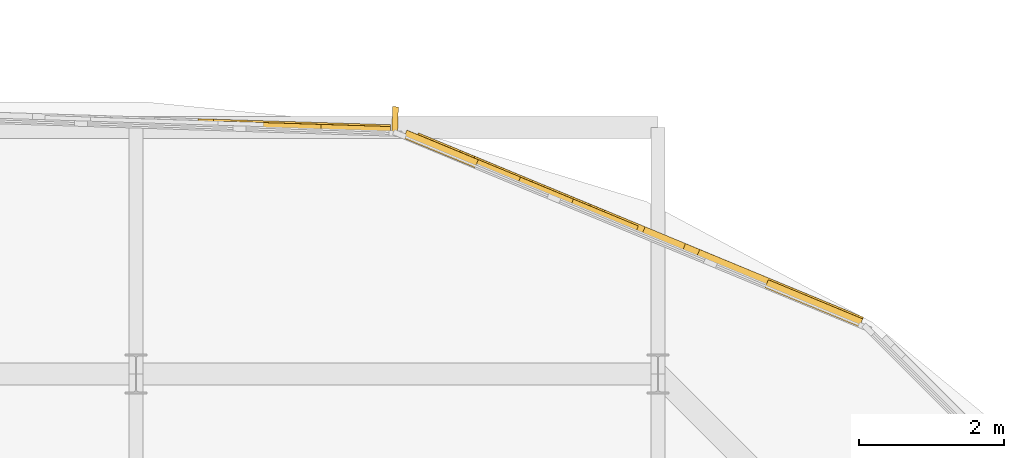
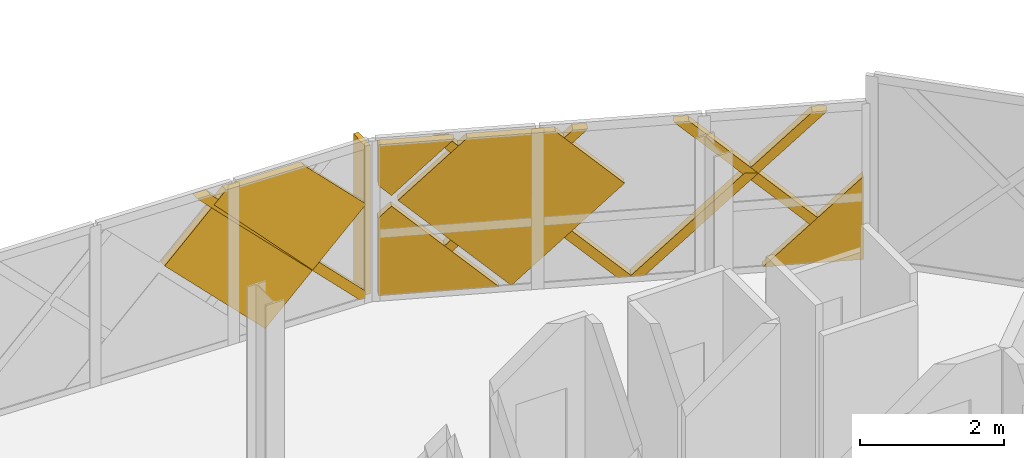
# One storey, part 50 of 50: 10 coverings, 1 shading device.
"""IFC4 building model written with IfcOpenShell, lengths in metres."""

from ifc_helpers import new_model, si_unit, direction, frame, origin, origin_2d, place, context, subcontext, project, spatial, polyline, rectangle, outline, extrude, material, layer, layer_set, type_object, element, save


model = new_model("IFC4")

# Units and contexts
model_context = context("Model", 3, precision=1e-05, world=origin(), true_north=direction((0.0, 1.0)))
body_context = subcontext(model_context, "Body", "Model", "MODEL_VIEW")
ifc_project = project(units=[si_unit("LENGTHUNIT", "METRE"), si_unit("AREAUNIT", "SQUARE_METRE"), si_unit("VOLUMEUNIT", "CUBIC_METRE"), si_unit("PLANEANGLEUNIT", "RADIAN"), si_unit("MASSUNIT", "GRAM", prefix="KILO")], contexts=[model_context])

# Site, building, storey
site_placement = place(None, origin())
site = spatial("IfcSite", under=ifc_project, at=site_placement, CompositionType="ELEMENT")
building_placement = place(site_placement, origin())
building = spatial("IfcBuilding", under=site, at=building_placement, Name="Zevrakil Square Congress Hotel", CompositionType="ELEMENT")
storey_placement = place(building_placement, frame((0.0, 0.0, 21.5)))
storey = spatial("IfcBuildingStorey", under=building, at=storey_placement, Name="L06", CompositionType="ELEMENT", Elevation=21.5)

# Coverings
ifc_material_1 = material(Name="Architectural White Fibre-C GRC", Category="concrete")
ifc_layer_1 = layer(ifc_material_1, 0.06494140625)
ifc_layer_set_1 = layer_set([ifc_layer_1], Name="Architectural White Fibre-C GRC")
covering_type_1 = type_object("IfcCoveringType", Name="COV-DIA-WHITE", PredefinedType="CLADDING", material=ifc_layer_set_1)
covering_1_placement = place(storey_placement, frame((157.521484375, 46.899658203125, 0.080078125), z_axis=(0.382647340274, 0.92389421163, 0.000706186006), x_axis=(0.923894442002, -0.382647435687, 0.0)))
element("IfcCovering", 1, at=covering_1_placement, inside=storey, type_object=covering_type_1, Name="L06 45-degree white GRC diamond facade cassette 2535", PredefinedType="CLADDING", context=body_context, shape_type="SweptSolid", body=[
    extrude(outline(polyline([(0.0, 0.0), (1.4100467713356626, 5.421010862427522e-20), (1.410194890305571, -1.4099124609357825), (0.0, 0.0)])), origin(), (0.0, 0.0, -1.0), 0.1201171875),
])
covering_2_placement = place(storey_placement, frame((152.707763671875, 48.892578125, 1.590087890625), z_axis=(0.382709013795, 0.923868678907, 0.000689125563), x_axis=(-0.653022420204, 0.271039494994, -0.707177001086)))
element("IfcCovering", 2, at=covering_2_placement, inside=storey, type_object=covering_type_1, Name="L06 45-degree white GRC diamond facade cassette 2536", PredefinedType="CLADDING", context=body_context, shape_type="SweptSolid", body=[
    extrude(outline(polyline([(0.0, 0.0), (0.26272191217596336, 0.0), (1.1991247849860547, -0.9363258613185188), (0.00011626749712867479, -2.135572949177425), (0.0, 0.0)])), origin(), (0.0, 0.0, -1.0), 0.1201171875),
])
covering_3_placement = place(storey_placement, frame((152.791015625, 48.85791015625, 1.679931640625), z_axis=(0.382657513132, 0.923890075622, 0.000596499315), x_axis=(0.653451566838, -0.270190545594, -0.707105451025)))
element("IfcCovering", 3, at=covering_3_placement, inside=storey, type_object=covering_type_1, Name="L06 45-degree white GRC diamond facade cassette 2537", PredefinedType="CLADDING", context=body_context, shape_type="SweptSolid", body=[
    extrude(outline(polyline([(0.0, 0.0), (2.2483828866554156, 0.0), (2.24860005726601, -2.2485923496749742), (0.8767852724610252, -2.2485259273592266), (1.6431583158671437e-05, -1.3717599468456902), (0.0, 0.0)])), origin(), (0.0, 0.0, -1.0), 0.1201171875),
])
covering_4_placement = place(storey_placement, frame((152.707763671875, 48.892333984375, 1.77001953125), z_axis=(0.382654968553, 0.923891085175, 0.000661646572), x_axis=(0.653118034977, -0.271013233731, 0.707098762218)))
element("IfcCovering", 4, at=covering_4_placement, inside=storey, type_object=covering_type_1, Name="L06 45-degree white GRC diamond facade cassette 2538", PredefinedType="CLADDING", context=body_context, shape_type="SweptSolid", body=[
    extrude(outline(polyline([(0.0, 0.0), (1.2443562385876903, -1.1102230246251565e-16), (0.4907876020169843, -0.7535519548117527), (2.3273545716739896e-05, -0.2627219566077088), (0.0, 0.0)])), origin(), (0.0, 0.0, -1.0), 0.1201171875),
])
covering_5_placement = place(storey_placement, frame((149.142333984375, 49.1123046875, 1.679931640625), z_axis=(0.031566629149, 0.999501484783, 0.000574316848), x_axis=(0.70682858995, -0.021917053956, -0.707045251151)))
element("IfcCovering", 5, at=covering_5_placement, inside=storey, type_object=covering_type_1, Name="L06 45-degree white GRC diamond facade cassette 2545", PredefinedType="CLADDING", context=body_context, shape_type="SweptSolid", body=[
    extrude(outline(polyline([(0.0, 0.0), (2.248574228752183, 2.220446049250313e-16), (2.248827218697672, -2.234281950475567), (2.234672504197083, -2.2484391238051122), (0.877101174457856, -2.248575662778452), (0.00012962177052444623, -1.3717564913128397), (0.0, 0.0)])), origin(), (0.0, 0.0, -1.0), 0.1201171875),
])
ifc_material_2 = material(Name="Anodised Champagne Aluminium", Category="aluminium")
ifc_layer_2 = layer(ifc_material_2, 0.0849609375)
ifc_layer_set_2 = layer_set([ifc_layer_2], Name="Anodised Champagne Aluminium")
covering_type_2 = type_object("IfcCoveringType", Name="COV-DIAGRID-45", PredefinedType="MOLDING", material=ifc_layer_set_2)
covering_6_placement = place(storey_placement, frame((158.75439453125, 46.416015625, 0.080078125), z_axis=(0.383104002267, 0.923704628667, 0.00104039712), x_axis=(0.923705128363, -0.383104210152, 5.65615e-07)))
element("IfcCovering", 6, at=covering_6_placement, inside=storey, type_object=covering_type_2, Name="L06 45-degree aluminium diagrid rib 2539", PredefinedType="MOLDING", context=body_context, shape_type="SweptSolid", body=[
    extrude(outline(polyline([(0.0, 0.0), (0.08591875856650072, 0.0), (0.08591882982074002, -0.12597649431979757), (-2.3580665423735523, -2.5698269852494118), (-2.570074651486705, -2.569827017728495), (0.0, 0.0)])), origin(), (0.0, 0.0, -1.0), 0.14501953125),
])
covering_7_placement = place(storey_placement, frame((155.650146484375, 47.701904296875, 0.080078125), z_axis=(0.38257192525, 0.923925581883, 0.000491073125), x_axis=(0.923925693237, -0.382571971498, 2.60963e-07)))
element("IfcCovering", 7, at=covering_7_placement, inside=storey, type_object=covering_type_2, Name="L06 45-degree aluminium diagrid rib 2540", PredefinedType="MOLDING", context=body_context, shape_type="SweptSolid", body=[
    extrude(outline(polyline([(0.0, 0.0), (0.21223359330527425, -6.776263578034403e-21), (-2.357842929705375, -2.5698251439203683), (-2.569983121650421, -2.5698252546662768), (0.0, 0.0)])), origin(), (0.0, 0.0, -1.0), 0.14501953125),
])
covering_8_placement = place(storey_placement, frame((158.36767578125, 46.574462890625, 2.64990234375), z_axis=(0.383062898873, 0.92372224563, 0.000168627506), x_axis=(-0.923722258763, 0.383062904319, 0.0)))
element("IfcCovering", 8, at=covering_8_placement, inside=storey, type_object=covering_type_2, Name="L06 45-degree aluminium diagrid rib 2541", PredefinedType="MOLDING", context=body_context, shape_type="SweptSolid", body=[
    extrude(outline(polyline([(0.0, 0.0), (0.21223362327273487, -1.6940658945086007e-21), (2.7822109860603303, -2.5698242552867794), (2.5699773627875953, -2.5698242552867794), (0.0, 0.0)])), origin(), (0.0, 0.0, -1.0), 0.14501953125),
])
covering_9_placement = place(storey_placement, frame((155.263427734375, 47.8603515625, 2.64990234375), z_axis=(0.382571865507, 0.9239254376, 0.000743960638), x_axis=(-0.923925693399, 0.382571971108, 3.95525e-07)))
element("IfcCovering", 9, at=covering_9_placement, inside=storey, type_object=covering_type_2, Name="L06 45-degree aluminium diagrid rib 2542", PredefinedType="MOLDING", context=body_context, shape_type="SweptSolid", body=[
    extrude(outline(polyline([(0.0, 0.0), (0.21214019194508354, 6.776263578034403e-21), (2.782209346495959, -2.569826030354112), (2.5699757531907417, -2.569825862503608), (0.0, 0.0)])), origin(), (0.0, 0.0, -1.0), 0.14501953125),
])
covering_10_placement = place(storey_placement, frame((152.2255859375, 49.040771484375, 0.080078125), z_axis=(0.031085762028, 0.999516714542, 0.000112918414), x_axis=(0.999516720914, -0.031085762228, 1.6832e-08)))
element("IfcCovering", 10, at=covering_10_placement, inside=storey, type_object=covering_type_2, Name="L06 45-degree aluminium diagrid rib 2549", PredefinedType="MOLDING", context=body_context, shape_type="SweptSolid", body=[
    extrude(outline(polyline([(0.0, 0.0), (0.08597945047515651, 0.0), (0.08597945259558207, -0.1259765616968636), (-2.357819671073369, -2.569824275558337), (-2.569836230969248, -2.5698242790026526), (0.0, 0.0)])), origin(), (0.0, 0.0, -1.0), 0.14501953125),
])

# Shading device
ifc_material_3 = material(Name="Aluminium Anodised Bronze", Category="aluminium")
shading_device_type = type_object("IfcShadingDeviceType", Name="SHD-FIN-35", PredefinedType="JALOUSIE", material=ifc_material_3)
shading_device_placement = place(storey_placement, frame((152.3740234375, 49.111083984375, 0.10009765625), z_axis=(0.0, 0.0, 1.0), x_axis=(0.031602649982, 0.999500511513, 0.0)))
element("IfcShadingDevice", 11, at=shading_device_placement, inside=storey, type_object=shading_device_type, Name="L06 aluminium solar shading fin 141", PredefinedType="JALOUSIE", context=body_context, shape_type="SweptSolid", body=[
    extrude(rectangle(XDim=0.35009765625, YDim=0.080078125, at=origin_2d()), origin(), (0.0, 0.0, 1.0), 2.530029296875),
])

save(model, "model.ifc")
